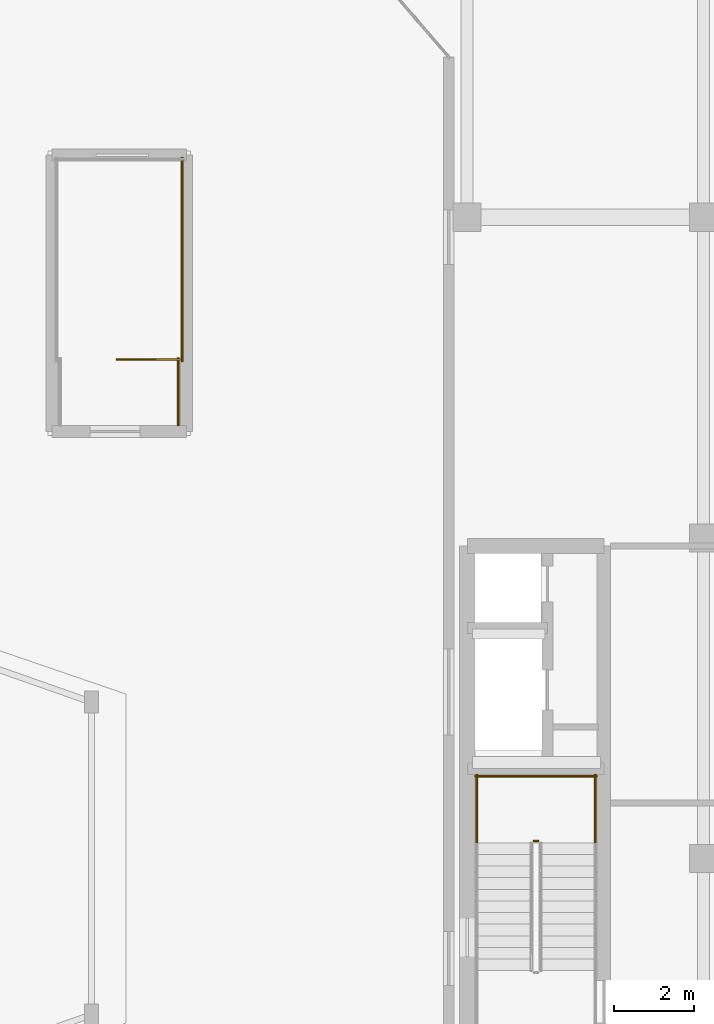
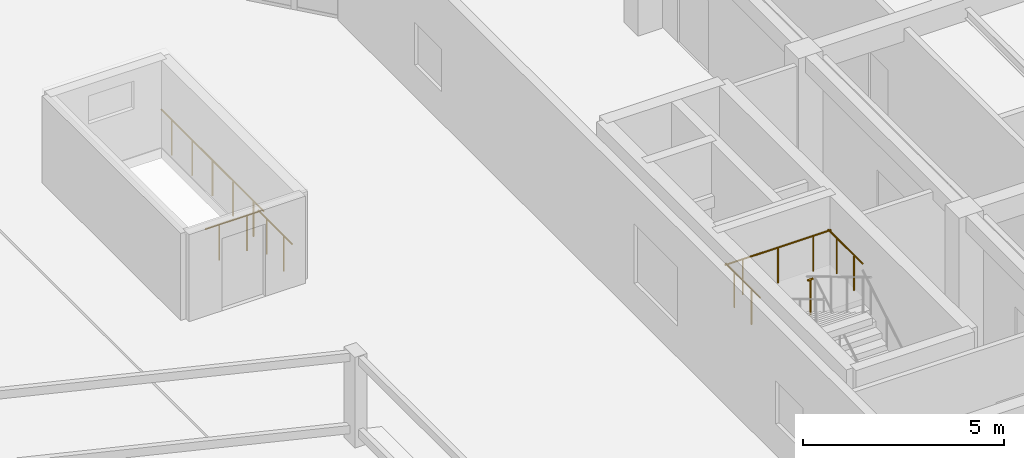
# One storey, part 104 of 114: 7 railings.
"""IFC4 building model written with IfcOpenShell, lengths in metres."""

from ifc_helpers import new_model, si_unit, direction, frame, origin, origin_2d, place, context, subcontext, project, spatial, circle, extrude, material, type_object, element, save


model = new_model("IFC4")

# Units and contexts
model_context = context("Model", 3, precision=1e-05, world=origin(), true_north=direction((0.0, 1.0)))
body_context = subcontext(model_context, "Body", "Model", "MODEL_VIEW")
ifc_project = project(units=[si_unit("LENGTHUNIT", "METRE"), si_unit("AREAUNIT", "SQUARE_METRE"), si_unit("VOLUMEUNIT", "CUBIC_METRE"), si_unit("PLANEANGLEUNIT", "RADIAN"), si_unit("MASSUNIT", "GRAM", prefix="KILO")], contexts=[model_context])

# Site, building, storey
site_placement = place(None, origin())
site = spatial("IfcSite", under=ifc_project, at=site_placement, CompositionType="ELEMENT")
building_placement = place(site_placement, origin())
building = spatial("IfcBuilding", under=site, at=building_placement, Name="Keldmere Railside Commons", CompositionType="ELEMENT")
storey_placement = place(building_placement, origin())
storey = spatial("IfcBuildingStorey", under=building, at=storey_placement, Name="L00", CompositionType="ELEMENT", Elevation=0.0)

# Railings
ifc_material = material(Name="Steel F-24 (S235)", Category="steel")
railing_type = type_object("IfcRailingType", Name="Stair Well Steel Guardrail 1100", PredefinedType="BALUSTRADE", material=ifc_material)
railing_1_placement = place(storey_placement, frame((106.25, 72.43994140625, 2.080078125)))
element("IfcRailing", 1, at=railing_1_placement, inside=storey, type_object=railing_type, Name="L00 ST-B1 stair guard 2", PredefinedType="BALUSTRADE", context=body_context, shape_type="SweptSolid", body=[
    extrude(circle(Radius=0.02392578125, at=origin_2d()), frame((0.0, 0.0, 1.076171875), z_axis=(-1.0, 0.0, 0.0), x_axis=(0.0, -1.0, 0.0)), (0.0, 0.0, 1.0), 0.14990234375),
    extrude(circle(Radius=0.02099609375, at=origin_2d()), frame((-0.074951171875, 0.0, 0.0)), (0.0, 0.0, 1.0), 1.048095703125),
])
for number, where, name in (
    (2, (107.64990234375, 72.389892578125, 2.080078125), "L00 ST-B1 stair guard 3"),
    (3, (104.699951171875, 72.389892578125, 2.080078125), "L00 ST-B1 stair guard 4"),
):
    element("IfcRailing", number, at=place(storey_placement, frame(where)), inside=storey, type_object=railing_type, Name=name, PredefinedType="BALUSTRADE", context=body_context, shape_type="SweptSolid", body=[
        extrude(circle(Radius=0.02392578125, at=origin_2d()), frame((0.0, 0.0, 1.076171875), z_axis=(0.0, 1.0, 0.0), x_axis=(-1.0, 0.0, 0.0)), (0.0, 0.0, 1.0), 1.710205078125),
        extrude(circle(Radius=0.02099609375, at=origin_2d()), frame((0.0, 0.427490234375, 0.0)), (0.0, 0.0, 1.0), 1.048095703125),
        extrude(circle(Radius=0.02099609375, at=origin_2d()), frame((0.0, 1.28271484375, 0.0)), (0.0, 0.0, 1.0), 1.048095703125),
    ])
railing_2_placement = place(storey_placement, frame((107.699951171875, 74.050048828125, 2.080078125)))
element("IfcRailing", 4, at=railing_2_placement, inside=storey, type_object=railing_type, Name="L00 ST-B1 stair guard 5", PredefinedType="BALUSTRADE", context=body_context, shape_type="SweptSolid", body=[
    extrude(circle(Radius=0.02392578125, at=origin_2d()), frame((0.0, 0.0, 1.076171875), z_axis=(-1.0, 0.0, 0.0), x_axis=(0.0, -1.0, 0.0)), (0.0, 0.0, 1.0), 3.050048828125),
    extrude(circle(Radius=0.02099609375, at=origin_2d()), frame((-0.50830078125, 0.0, 0.0)), (0.0, 0.0, 1.0), 1.048095703125),
    extrude(circle(Radius=0.02099609375, at=origin_2d()), frame((-1.52490234375, 0.0, 0.0)), (0.0, 0.0, 1.0), 1.048095703125),
    extrude(circle(Radius=0.02099609375, at=origin_2d()), frame((-2.541748046875, 0.0, 0.0)), (0.0, 0.0, 1.0), 1.048095703125),
])
railing_3_placement = place(storey_placement, frame((97.300048828125, 84.449951171875, 0.0)))
element("IfcRailing", 5, at=railing_3_placement, inside=storey, type_object=railing_type, Name="L00 ST-B4 top well guard 1", PredefinedType="BALUSTRADE", context=body_context, shape_type="SweptSolid", body=[
    extrude(circle(Radius=0.02392578125, at=origin_2d()), frame((0.0, 0.0, 1.076171875), z_axis=(-1.0, 0.0, 0.0), x_axis=(0.0, -1.0, 0.0)), (0.0, 0.0, 1.0), 1.60009765625),
    extrude(circle(Radius=0.02099609375, at=origin_2d()), frame((-0.39990234375, 0.0, 0.0)), (0.0, 0.0, 1.0), 1.048095703125),
    extrude(circle(Radius=0.02099609375, at=origin_2d()), frame((-1.2001953125, 0.0, 0.0)), (0.0, 0.0, 1.0), 1.048095703125),
])
railing_4_placement = place(storey_placement, frame((97.35009765625, 84.39990234375, 0.0)))
element("IfcRailing", 6, at=railing_4_placement, inside=storey, type_object=railing_type, Name="L00 ST-B4 top well guard 2", PredefinedType="BALUSTRADE", context=body_context, shape_type="SweptSolid", body=[
    extrude(circle(Radius=0.02392578125, at=origin_2d()), frame((0.0, 0.0, 1.076171875), z_axis=(0.0, 1.0, 0.0), x_axis=(-1.0, 0.0, 0.0)), (0.0, 0.0, 1.0), 5.10009765625),
    extrude(circle(Radius=0.02099609375, at=origin_2d()), frame((0.0, 0.510009765625, 0.0)), (0.0, 0.0, 1.0), 1.048095703125),
    extrude(circle(Radius=0.02099609375, at=origin_2d()), frame((0.0, 1.530029296875, 0.0)), (0.0, 0.0, 1.0), 1.048095703125),
    extrude(circle(Radius=0.02099609375, at=origin_2d()), frame((0.0, 2.550048828125, 0.0)), (0.0, 0.0, 1.0), 1.048095703125),
    extrude(circle(Radius=0.02099609375, at=origin_2d()), frame((0.0, 3.570068359375, 0.0)), (0.0, 0.0, 1.0), 1.048095703125),
    extrude(circle(Radius=0.02099609375, at=origin_2d()), frame((0.0, 4.590087890625, 0.0)), (0.0, 0.0, 1.0), 1.048095703125),
])
railing_5_placement = place(storey_placement, frame((97.25, 82.800048828125, 0.0)))
element("IfcRailing", 7, at=railing_5_placement, inside=storey, type_object=railing_type, Name="L00 ST-B4 top well guard 5", PredefinedType="BALUSTRADE", context=body_context, shape_type="SweptSolid", body=[
    extrude(circle(Radius=0.02392578125, at=origin_2d()), frame((0.0, 0.0, 1.076171875), z_axis=(0.0, 1.0, 0.0), x_axis=(-1.0, 0.0, 0.0)), (0.0, 0.0, 1.0), 1.699951171875),
    extrude(circle(Radius=0.02099609375, at=origin_2d()), frame((0.0, 0.425048828125, 0.0)), (0.0, 0.0, 1.0), 1.048095703125),
    extrude(circle(Radius=0.02099609375, at=origin_2d()), frame((0.0, 1.27490234375, 0.0)), (0.0, 0.0, 1.0), 1.048095703125),
])

save(model, "model.ifc")
